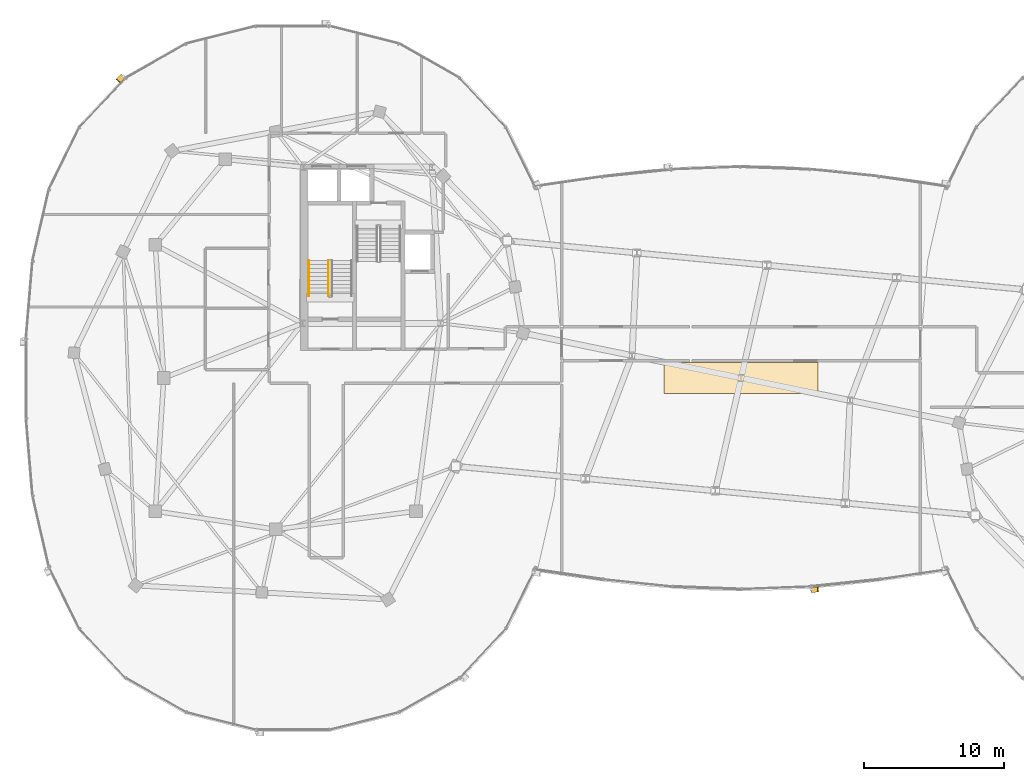
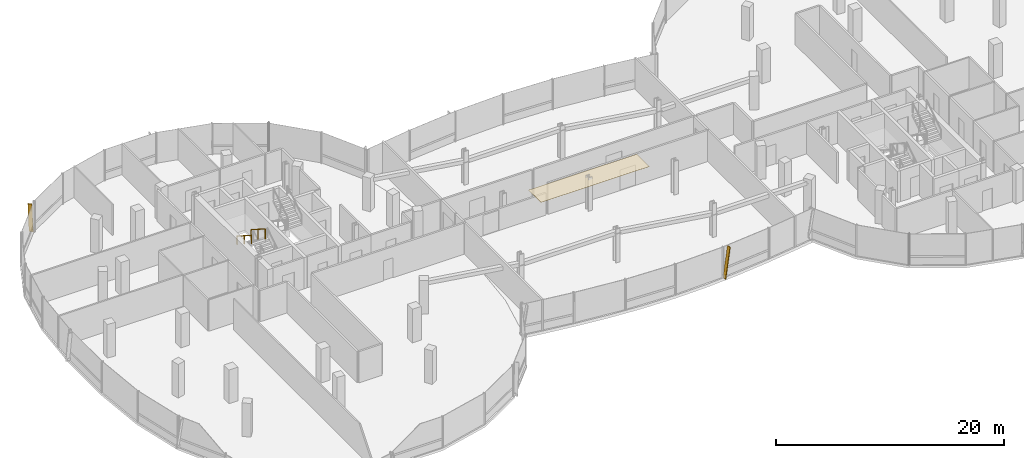
# One storey, part 22 of 25: 2 railings, 2 shading devices, 1 covering.
"""IFC4 building model written with IfcOpenShell, lengths in metres."""

from ifc_helpers import new_model, si_unit, direction, frame, origin, origin_2d, place, context, subcontext, project, spatial, polyline, rectangle, outline, extrude, material, layer, layer_set, material_profile, profile_set, type_object, element, save


model = new_model("IFC4")

# Units and contexts
model_context = context("Model", 3, precision=1e-05, world=origin(), true_north=direction((0.0, 1.0)))
body_context = subcontext(model_context, "Body", "Model", "MODEL_VIEW")
ifc_project = project(units=[si_unit("LENGTHUNIT", "METRE"), si_unit("AREAUNIT", "SQUARE_METRE"), si_unit("VOLUMEUNIT", "CUBIC_METRE"), si_unit("PLANEANGLEUNIT", "RADIAN"), si_unit("MASSUNIT", "GRAM", prefix="KILO"), si_unit("THERMODYNAMICTEMPERATUREUNIT", "KELVIN"), si_unit("POWERUNIT", "WATT")], contexts=[model_context])

# Site, building, storey
site_placement = place(None, origin())
site = spatial("IfcSite", under=ifc_project, at=site_placement, CompositionType="ELEMENT")
building_placement = place(site_placement, origin())
building = spatial("IfcBuilding", under=site, at=building_placement, Name="Cundina Bronze Exchange", CompositionType="ELEMENT")
storey_placement = place(building_placement, frame((0.0, 0.0, 239.60009765625)))
storey = spatial("IfcBuildingStorey", under=building, at=storey_placement, Name="L63", CompositionType="ELEMENT", Elevation=239.60009765625)

# Covering
ifc_material_1 = material(Name="Mineral Acoustic Ceiling Tile 18mm")
ifc_layer = layer(ifc_material_1, 0.01806640625, Name="Mineral Acoustic Ceiling Tile 18mm")
ifc_layer_set = layer_set([ifc_layer], Name="Mineral Acoustic Ceiling Tile 18mm")
covering_type = type_object("IfcCoveringType", Name="COV-CLG-AC18", PredefinedType="CEILING", material=ifc_layer_set)
covering_placement = place(storey_placement, frame((0.0, 0.0, 3.322021484375)))
element("IfcCovering", 1, at=covering_placement, inside=storey, type_object=covering_type, Name="L63 Suspended Mineral Acoustic Ceiling", PredefinedType="CEILING", context=body_context, shape_type="SweptSolid", body=[
    extrude(outline(polyline([(-5.5, -1.10009765625), (5.5, -1.10009765625), (5.5, 1.10009765625), (-5.5, 1.10009765625), (-5.5, -1.10009765625)])), origin(), (0.0, 0.0, 1.0), 0.017822265625),
])

# Railings
ifc_material_2 = material(Name="Steel ASTM A36 Painted", Category="steel")
railing_type_1 = type_object("IfcRailingType", Name="RLG-HND-900", PredefinedType="HANDRAIL", material=ifc_material_2)
railing_1_placement = place(storey_placement, frame((-30.85009765625, 8.3701171875, 1.97998046875)))
element("IfcRailing", 2, at=railing_1_placement, inside=storey, type_object=railing_type_1, Name="L63 ST-W1 stair handrail 2", PredefinedType="HANDRAIL", context=body_context, shape_type="SweptSolid", body=[
    extrude(rectangle(XDim=0.048095703125, YDim=0.048095703125, at=origin_2d()), frame((0.0, 0.0, 0.8759765625), z_axis=(0.0, -0.841199657755, 0.540724639528), x_axis=(1.0, 0.0, 0.0)), (0.0, 0.0, 1.0), 2.995849609375),
    extrude(rectangle(XDim=0.0419921875, YDim=0.0419921875, at=origin_2d()), origin(), (0.0, 0.0, 1.0), 0.851806640625),
    extrude(rectangle(XDim=0.0419921875, YDim=0.0419921875, at=origin_2d()), frame((0.0, -1.260009765625, 0.81005859375)), (0.0, 0.0, 1.0), 0.851806640625),
    extrude(rectangle(XDim=0.0419921875, YDim=0.0419921875, at=origin_2d()), frame((0.0, -2.52001953125, 1.619873046875)), (0.0, 0.0, 1.0), 0.851806640625),
])
railing_type_2 = type_object("IfcRailingType", Name="RLG-STG-1100", PredefinedType="GUARDRAIL", material=ifc_material_2)
railing_2_placement = place(storey_placement, frame((-29.449951171875, 8.3701171875, 1.97998046875)))
element("IfcRailing", 3, at=railing_2_placement, inside=storey, type_object=railing_type_2, Name="L63 ST-W1 stair guard 3", PredefinedType="GUARDRAIL", context=body_context, shape_type="SweptSolid", body=[
    extrude(rectangle(XDim=0.048095703125, YDim=0.048095703125, at=origin_2d()), frame((0.0, 0.0, 1.076171875), z_axis=(0.0, -0.841199657755, 0.540724639528), x_axis=(1.0, 0.0, 0.0)), (0.0, 0.0, 1.0), 2.995849609375),
    extrude(rectangle(XDim=0.0419921875, YDim=0.0419921875, at=origin_2d()), origin(), (0.0, 0.0, 1.0), 1.052001953125),
    extrude(rectangle(XDim=0.0419921875, YDim=0.0419921875, at=origin_2d()), frame((0.0, -1.260009765625, 0.81005859375)), (0.0, 0.0, 1.0), 1.052001953125),
    extrude(rectangle(XDim=0.0419921875, YDim=0.0419921875, at=origin_2d()), frame((0.0, -2.52001953125, 1.619873046875)), (0.0, 0.0, 1.0), 1.052001953125),
])

# Shading devices
ifc_material_3 = material(Name="Anodised Bronze Aluminium 6063-T6", Category="aluminium")
ifc_material_profile = material_profile(ifc_material_3, rectangle(XDim=0.070068359375, YDim=0.3798828125, at=origin_2d()), Name="FIN70X380", Category="aluminium")
ifc_profile_set = profile_set([ifc_material_profile], Name="Anodised Bronze Aluminium 6063-T6")
shading_device_type = type_object("IfcShadingDeviceType", Name="SHD-FIN-BRZ380", PredefinedType="USERDEFINED", material=ifc_profile_set)
shading_device_1_placement = place(storey_placement, frame((-44.122314453125, 21.55078125, 0.02001953125), z_axis=(-0.09854858404, -0.104918366218, 0.989585930081), x_axis=(0.677504689193, 0.721295854096, 0.143943346447)))
element("IfcShadingDevice", 4, at=shading_device_1_placement, inside=storey, type_object=shading_device_type, Name="L63 Diagonal Bronze Solar Fin 1", ObjectType="FIN", PredefinedType="USERDEFINED", context=body_context, shape_type="SweptSolid", body=[
    extrude(rectangle(XDim=0.070068359375, YDim=0.3798828125, at=origin_2d()), origin(), (0.0, 0.0, 1.0), 3.33447265625),
])
shading_device_2_placement = place(storey_placement, frame((5.0146484375, -15.12890625, 0.02001953125), z_axis=(0.145724273631, 0.015056932621, 0.989210657471), x_axis=(-0.983972150742, -0.101668733734, 0.14650008582)))
element("IfcShadingDevice", 5, at=shading_device_2_placement, inside=storey, type_object=shading_device_type, Name="L63 Diagonal Bronze Solar Fin 5", ObjectType="FIN", PredefinedType="USERDEFINED", context=body_context, shape_type="SweptSolid", body=[
    extrude(rectangle(XDim=0.070068359375, YDim=0.3798828125, at=origin_2d()), origin(), (0.0, 0.0, 1.0), 3.275390625),
])

save(model, "model.ifc")
